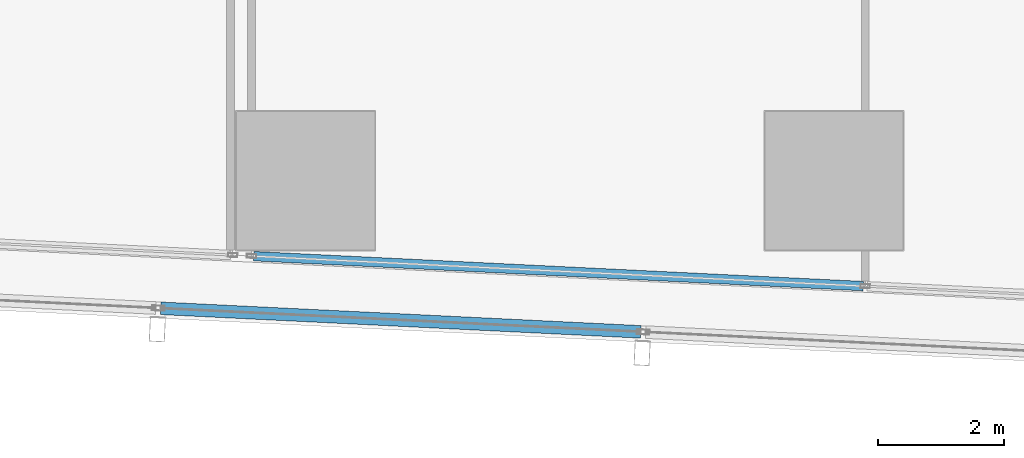
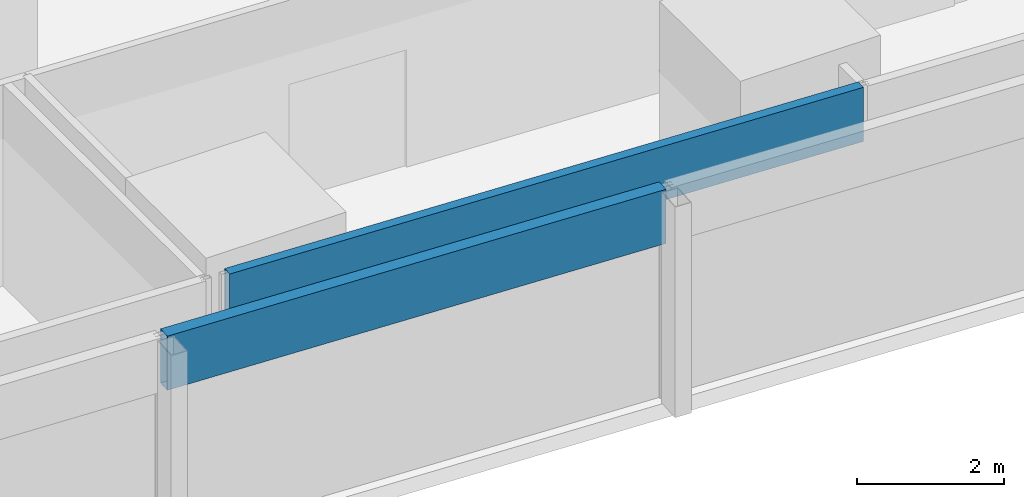
# One storey, part 3 of 44: 2 members, 2 elements without a shape of their own.
"""IFC4 building model written with IfcOpenShell, lengths in metres."""

import ifcopenshell
import ifcopenshell.guid

model = None  # the IFC model being written
_history = None  # IfcOwnerHistory: only IFC2X3 demands one
_inside = {}  # id of a spatial element -> (the spatial element, [elements in it])
_under = {}  # id of a project, library or spatial element -> (it, [spatial elements below it])
_declared = {}  # id of a project -> (the project, [libraries it declares])
_typed = {}  # id of a type object -> (the type object, [elements of that type])
_made_of = {}  # id of a material, layer set ... -> (it, [elements and type objects made of it])


def new_model(schema):
    """Start an empty IFC model of exactly this schema.

    Asked for "IFC4X3", IfcOpenShell would pick the latest addendum, in which some entities
    have other attributes; the version numbers below select the first issue.
    IFC2X3 requires an IfcOwnerHistory on every rooted entity: one is made here for all.
    """
    global model, _history
    if schema == "IFC4X3":
        model = ifcopenshell.file(schema_version=(4, 3, 0, 0))
    else:
        model = ifcopenshell.file(schema=schema)
    _inside.clear()
    _under.clear()
    _declared.clear()
    _typed.clear()
    _made_of.clear()
    _history = None
    if model.schema == "IFC2X3":
        org = make("IfcOrganization", Name="unknown")
        user = make(
            "IfcPersonAndOrganization",
            ThePerson=make("IfcPerson", FamilyName="unknown"),
            TheOrganization=org,
        )
        app = make(
            "IfcApplication",
            ApplicationDeveloper=org,
            Version="unknown",
            ApplicationFullName="unknown",
            ApplicationIdentifier="unknown",
        )
        _history = make(
            "IfcOwnerHistory",
            OwningUser=user,
            OwningApplication=app,
            ChangeAction="ADDED",
            CreationDate=0,
        )
    return model


def make(cls, **values):
    """One entity of the class cls with the attributes given. An attribute that is None is left unset."""
    return model.create_entity(
        cls, **{name: value for name, value in values.items() if value is not None}
    )


def rooted(cls, **values):
    """An entity with a GlobalId (a new one), such as an element, a storey or a relation."""
    return make(cls, GlobalId=ifcopenshell.guid.new(), OwnerHistory=_history, **values)


def si_unit(unit_type, name, prefix=None):
    """IfcSIUnit, for example si_unit("LENGTHUNIT", "METRE", prefix="MILLI")."""
    return make("IfcSIUnit", UnitType=unit_type, Prefix=prefix, Name=name)


def assignment(units):
    """IfcUnitAssignment: the units of a project."""
    return None if units is None else make("IfcUnitAssignment", Units=units)


def point(xyz):
    """IfcCartesianPoint."""
    return None if xyz is None else make("IfcCartesianPoint", Coordinates=xyz)


def direction(xyz):
    """IfcDirection."""
    return None if xyz is None else make("IfcDirection", DirectionRatios=xyz)


def frame(location, z_axis=None, x_axis=None):
    """IfcAxis2Placement3D, a coordinate frame: its origin and axes. An axis left out is left unset."""
    return make(
        "IfcAxis2Placement3D",
        Location=point(location),
        Axis=direction(z_axis),
        RefDirection=direction(x_axis),
    )


def frame_2d(location, x_axis=None):
    """IfcAxis2Placement2D, a coordinate frame in the plane: its origin and x axis."""
    return make(
        "IfcAxis2Placement2D", Location=point(location), RefDirection=direction(x_axis)
    )


def origin():
    """The frame at (0, 0, 0) with its axes left unset."""
    return frame((0.0, 0.0, 0.0))


def origin_2d():
    """The frame at (0, 0) in the plane with its x axis left unset."""
    return frame_2d((0.0, 0.0))


def place(relative_to, where):
    """IfcLocalPlacement: puts the frame where relative to a parent placement (None: the world)."""
    return make(
        "IfcLocalPlacement", PlacementRelTo=relative_to, RelativePlacement=where
    )


def context(
    kind, dimensions, precision=None, world=None, true_north=None, identifier=None
):
    """IfcGeometricRepresentationContext, for example the 3D "Model" context."""
    return make(
        "IfcGeometricRepresentationContext",
        ContextIdentifier=identifier,
        ContextType=kind,
        CoordinateSpaceDimension=dimensions,
        Precision=precision,
        WorldCoordinateSystem=world,
        TrueNorth=true_north,
    )


def subcontext(parent, identifier, kind, view, scale=None):
    """IfcGeometricRepresentationSubContext, for example "Body" below "Model"."""
    return make(
        "IfcGeometricRepresentationSubContext",
        ContextIdentifier=identifier,
        ContextType=kind,
        ParentContext=parent,
        TargetScale=scale,
        TargetView=view,
    )


def project(units=None, contexts=None):
    """IfcProject with its units and contexts."""
    return rooted(
        "IfcProject",
        Name="project",
        RepresentationContexts=contexts,
        UnitsInContext=assignment(units),
    )


def spatial(cls, under=None, at=None, **own):
    """A site, building, storey or space (cls), placed at a placement, below another one or the project."""
    s = rooted(cls, ObjectPlacement=at, **own)
    if under is not None:
        _under.setdefault(under.id(), (under, []))[1].append(s)
    return s


def profile(cls, at=None, kind="AREA", **sizes):
    """A parametric profile (cls). Its sizes go by their IFC names, for example OverallWidth=200.0."""
    return make(cls, ProfileType=kind, Position=at, **sizes)


def hollow_rectangle(**sizes):
    """IfcRectangleHollowProfileDef."""
    return profile("IfcRectangleHollowProfileDef", **sizes)


def extrude(swept, where, along, depth):
    """IfcExtrudedAreaSolid: the profile swept, set in the frame where, extruded along a direction by depth."""
    return make(
        "IfcExtrudedAreaSolid",
        SweptArea=swept,
        Position=where,
        ExtrudedDirection=direction(along),
        Depth=depth,
    )


def shape(context_of_items, identifier, shape_type, items):
    """IfcShapeRepresentation: the items that make up one representation, for example the "Body"."""
    return make(
        "IfcShapeRepresentation",
        ContextOfItems=context_of_items,
        RepresentationIdentifier=identifier,
        RepresentationType=shape_type,
        Items=items,
    )


def material(Name=None, Category=None):
    """IfcMaterial."""
    return make("IfcMaterial", Name=Name, Category=Category)


def material_profile(
    of_material, cross_section, Name=None, Category=None, Priority=None
):
    """IfcMaterialProfile: a cross section and its material."""
    return make(
        "IfcMaterialProfile",
        Name=Name,
        Material=of_material,
        Profile=cross_section,
        Priority=Priority,
        Category=Category,
    )


def profile_set(profiles, Name=None, composite=None):
    """IfcMaterialProfileSet."""
    return make(
        "IfcMaterialProfileSet",
        Name=Name,
        MaterialProfiles=profiles,
        CompositeProfile=composite,
    )


def made_of(thing, what):
    """Note that an element or type object is made of a material, layer set ...; save() writes the relation."""
    if what is not None:
        _made_of.setdefault(what.id(), (what, []))[1].append(thing)
    return thing


def type_object(cls, material=None, **own):
    """A type object (cls), such as IfcWallType, which elements share."""
    return made_of(rooted(cls, **own), material)


def element(
    cls,
    number,
    at=None,
    inside=None,
    cuts=None,
    type_object=None,
    material=None,
    context=None,
    identifier="Body",
    shape_type=None,
    held_by="IfcProductDefinitionShape",
    body=None,
    shapes=None,
    **own,
):
    """One element of the class cls, such as IfcWall. Its Tag is "e" and its number.

    at: its placement. inside: the storey or other place that contains it. cuts: it is an
    opening in that element (IfcRelVoidsElement). A single representation is given by context,
    identifier, shape_type and body (its items); several are given by shapes. held_by: the class
    of the entity that holds the representations. save() writes the other relations.
    """
    e = rooted(cls, Tag="e%d" % number, ObjectPlacement=at, **own)
    if body is not None:
        shapes = [shape(context, identifier, shape_type, body)]
    if shapes is not None:
        e.Representation = make(held_by, Representations=shapes)
    if inside is not None:
        _inside.setdefault(inside.id(), (inside, []))[1].append(e)
    if cuts is not None:
        rooted(
            "IfcRelVoidsElement", RelatingBuildingElement=cuts, RelatedOpeningElement=e
        )
    if type_object is not None:
        _typed.setdefault(type_object.id(), (type_object, []))[1].append(e)
    return made_of(e, material)


def aggregate(whole, parts):
    """IfcRelAggregates: a whole, such as a stair, and the parts it consists of."""
    return rooted("IfcRelAggregates", RelatingObject=whole, RelatedObjects=parts)


def save(model, path):
    """Write the relations noted so far, then the file.

    IfcRelAggregates (storeys below a building ...), IfcRelContainedInSpatialStructure (elements
    in a storey), IfcRelDefinesByType, IfcRelAssociatesMaterial and IfcRelDeclares: one each for
    every whole, place, type object, material and project.
    """
    for whole, parts in _under.values():
        aggregate(whole, parts)
    for where, things in _inside.values():
        rooted(
            "IfcRelContainedInSpatialStructure",
            RelatedElements=things,
            RelatingStructure=where,
        )
    for kind, things in _typed.values():
        rooted("IfcRelDefinesByType", RelatedObjects=things, RelatingType=kind)
    for what, things in _made_of.values():
        rooted("IfcRelAssociatesMaterial", RelatedObjects=things, RelatingMaterial=what)
    for by, libraries in _declared.values():
        rooted("IfcRelDeclares", RelatingContext=by, RelatedDefinitions=libraries)
    model.write(path)


model = new_model("IFC4")

# Units and contexts
model_context = context("Model", 3, precision=1e-05, world=origin(), true_north=direction((0.0, 1.0)))
body_context = subcontext(model_context, "Body", "Model", "MODEL_VIEW")
ifc_project = project(units=[si_unit("LENGTHUNIT", "METRE"), si_unit("AREAUNIT", "SQUARE_METRE"), si_unit("VOLUMEUNIT", "CUBIC_METRE"), si_unit("PLANEANGLEUNIT", "RADIAN"), si_unit("MASSUNIT", "GRAM", prefix="KILO")], contexts=[model_context])

# Site, building, storey
site_placement = place(None, origin())
site = spatial("IfcSite", under=ifc_project, at=site_placement, CompositionType="ELEMENT")
building_placement = place(site_placement, origin())
building = spatial("IfcBuilding", under=site, at=building_placement, Name="Rekha Terrace Tower", CompositionType="ELEMENT")
storey_placement = place(building_placement, frame((0.0, 0.0, 74.14990234375)))
storey = spatial("IfcBuildingStorey", under=building, at=storey_placement, Name="L18", CompositionType="ELEMENT", Elevation=74.14990234375)

# Curtain wall, member
ifc_material_1 = material(Name="Aluminium framing", Category="aluminium")
curtain_wall_type_1 = type_object("IfcCurtainWallType", Name="CW1 double skin inner glazing", PredefinedType="USERDEFINED", material=ifc_material_1)
curtain_wall_1_placement = place(storey_placement, origin())
curtain_wall_1 = element("IfcCurtainWall", 1, at=curtain_wall_1_placement, inside=storey, type_object=curtain_wall_type_1, Name="CW1 double skin inner glazing", ObjectType="DOUBLE SKIN INNER GLAZING", PredefinedType="USERDEFINED")
ifc_material_2 = material(Name="Insulated aluminium spandrel box", Category="aluminium")
ifc_material_profile_1 = material_profile(ifc_material_2, hollow_rectangle(XDim=0.14990234375, YDim=0.89990234375, WallThickness=0.0029296875, at=origin_2d()), Name="AL SPANDREL BOX 150x900")
ifc_profile_set_1 = profile_set([ifc_material_profile_1], Name="Insulated aluminium spandrel box")
member_type_1 = type_object("IfcMemberType", Name="CW1 spandrel transom 150 x 900", PredefinedType="USERDEFINED", material=ifc_profile_set_1)
member_1_placement = place(storey_placement, frame((15.973388671875, 7.200927734375, 3.050048828125), z_axis=(0.99879655824, -0.049045236754, 0.0), x_axis=(0.049045236754, 0.99879655824, 0.0)))
member_1 = element("IfcMember", 2, at=member_1_placement, type_object=member_type_1, Name="CW1 spandrel transom 1", ObjectType="TRANSOM", PredefinedType="USERDEFINED", context=body_context, shape_type="SweptSolid", body=[
    extrude(hollow_rectangle(XDim=0.14990234375, YDim=0.89990234375, WallThickness=0.0029296875, at=origin_2d()), origin(), (0.0, 0.0, 1.0), 9.701904296875),
])
aggregate(curtain_wall_1, [member_1])

curtain_wall_type_2 = type_object("IfcCurtainWallType", Name="CW2 double skin outer glazing", PredefinedType="USERDEFINED", material=ifc_material_1)
curtain_wall_2_placement = place(storey_placement, origin())
curtain_wall_2 = element("IfcCurtainWall", 3, at=curtain_wall_2_placement, inside=storey, type_object=curtain_wall_type_2, Name="CW2 double skin outer glazing", ObjectType="DOUBLE SKIN OUTER GLAZING", PredefinedType="USERDEFINED")
ifc_material_profile_2 = material_profile(ifc_material_2, hollow_rectangle(XDim=0.199951171875, YDim=0.89990234375, WallThickness=0.0029296875, at=origin_2d()), Name="AL SPANDREL BOX 200x900")
ifc_profile_set_2 = profile_set([ifc_material_profile_2], Name="Insulated aluminium spandrel box")
member_type_2 = type_object("IfcMemberType", Name="CW2 spandrel transom 200 x 900", PredefinedType="USERDEFINED", material=ifc_profile_set_2)
member_2_placement = place(storey_placement, frame((14.499755859375, 6.372314453125, 3.050048828125), z_axis=(0.998796511558, -0.049046187417, 0.0), x_axis=(0.049046187417, 0.998796511558, 0.0)))
member_2 = element("IfcMember", 4, at=member_2_placement, type_object=member_type_2, Name="CW2 spandrel transom 2", ObjectType="TRANSOM", PredefinedType="USERDEFINED", context=body_context, shape_type="SweptSolid", body=[
    extrude(hollow_rectangle(XDim=0.199951171875, YDim=0.89990234375, WallThickness=0.0029296875, at=origin_2d()), origin(), (0.0, 0.0, 1.0), 7.635986328125),
])
aggregate(curtain_wall_2, [member_2])

save(model, "model.ifc")
